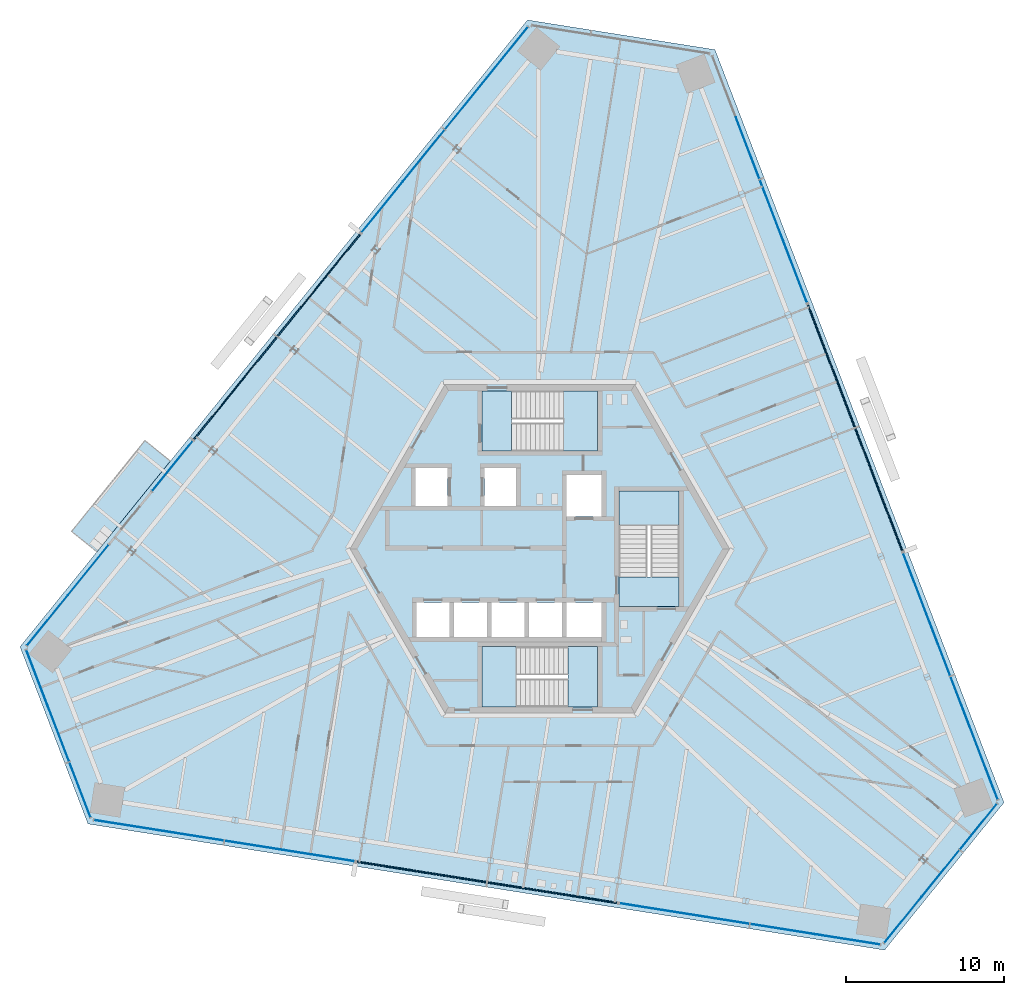
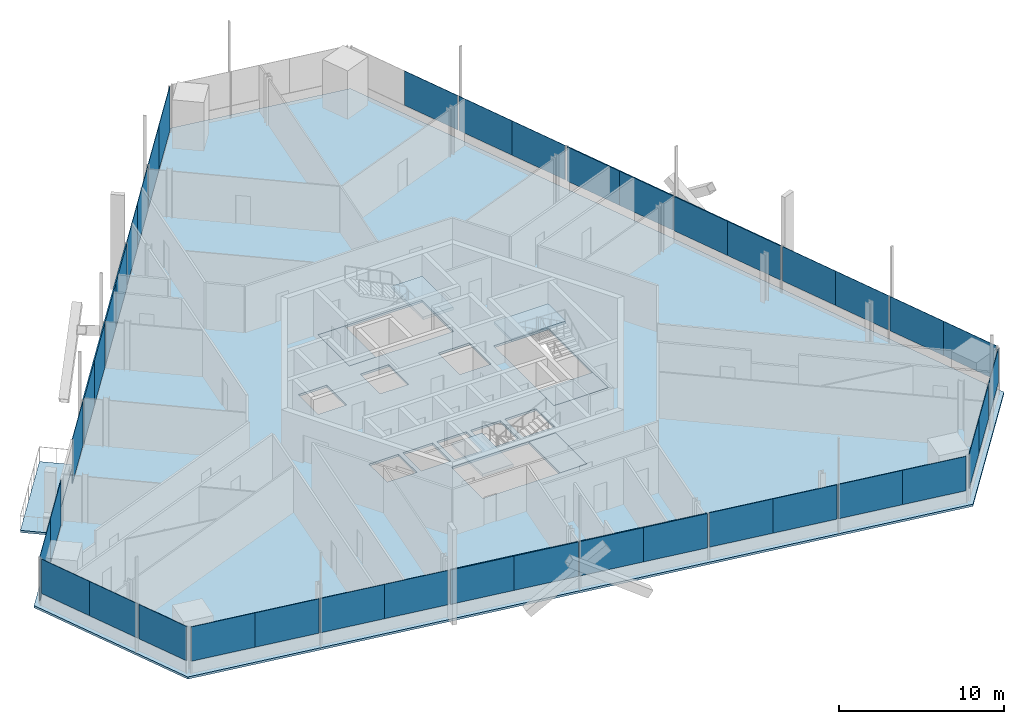
# One storey, part 10 of 22: 40 plates, 8 slabs, 15 elements without a shape of their own.
"""IFC4 building model written with IfcOpenShell, lengths in metres."""

from ifc_helpers import new_model, si_unit, direction, frame, origin, origin_2d, place, context, subcontext, project, spatial, polyline, rectangle, outline, extrude, source, transform, mapped, material, layer, layer_set, type_object, element, aggregate, save


model = new_model("IFC4")

# Units and contexts
model_context = context("Model", 3, precision=1e-05, world=origin(), true_north=direction((0.0, 1.0)))
body_context = subcontext(model_context, "Body", "Model", "MODEL_VIEW")
ifc_project = project(units=[si_unit("LENGTHUNIT", "METRE"), si_unit("AREAUNIT", "SQUARE_METRE"), si_unit("VOLUMEUNIT", "CUBIC_METRE"), si_unit("PLANEANGLEUNIT", "RADIAN"), si_unit("MASSUNIT", "GRAM", prefix="KILO")], contexts=[model_context])

# Site, building, storey
site_placement = place(None, origin())
site = spatial("IfcSite", under=ifc_project, at=site_placement, CompositionType="ELEMENT")
building_placement = place(site_placement, origin())
building = spatial("IfcBuilding", under=site, at=building_placement, Name="Triune Harvest Tower", CompositionType="ELEMENT")
storey_placement = place(building_placement, frame((0.0, 0.0, 153.300048828125)))
storey = spatial("IfcBuildingStorey", under=building, at=storey_placement, Name="L39", CompositionType="ELEMENT", Elevation=153.300048828125)

# Slab
ifc_material_1 = material(Name="Concrete 40 MPa", Category="concrete")
ifc_layer_1 = layer(ifc_material_1, 0.159912109375)
ifc_layer_set_1 = layer_set([ifc_layer_1], Name="Concrete 40 MPa")
slab_type_1 = type_object("IfcSlabType", Name="BA-1 balcony slab 160", PredefinedType="FLOOR", material=ifc_layer_set_1)
slab_1_placement = place(storey_placement, frame((0.0, 0.0, -0.16015625)))
element("IfcSlab", 1, at=slab_1_placement, inside=storey, type_object=slab_type_1, Name="Balcony slab B4-F3 L39.10", PredefinedType="FLOOR", context=body_context, shape_type="SweptSolid", body=[
    extrude(outline(polyline([(-23.369384765625, 5.544677734375), (-28.01123046875, -0.187744140625), (-29.61328125, 1.109619140625), (-24.97119140625, 6.841796875), (-23.369384765625, 5.544677734375)])), origin(), (0.0, 0.0, 1.0), 0.16015625),
])

# Curtain wall, plate
ifc_material_2 = material(Name="Aluminium bronze anodised", Category="aluminium")
curtain_wall_type_1 = type_object("IfcCurtainWallType", Name="CW-6 Balcony window wall", PredefinedType="NOTDEFINED", material=ifc_material_2)
curtain_wall_1_placement = place(storey_placement, origin())
curtain_wall_1 = element("IfcCurtainWall", 2, at=curtain_wall_1_placement, inside=storey, type_object=curtain_wall_type_1, Name="CW-6 B4-F3 L39 run 2001")
ifc_material_3 = material(Name="Glass", Category="glass")
ifc_layer_2 = layer(ifc_material_3, 0.030029296875)
ifc_layer_set_2 = layer_set([ifc_layer_2], Name="Glass")
plate_type_1 = type_object("IfcPlateType", Name="GL-6 panel 30", PredefinedType="CURTAIN_PANEL", material=ifc_layer_set_2)
plate_1_placement = place(storey_placement, frame((-23.23681640625, 5.2314453125, 0.14990234375), z_axis=(0.0, 0.0, 1.0), x_axis=(-0.629316059034, -0.777149469434, 0.0)))
plate_1 = element("IfcPlate", 3, at=plate_1_placement, type_object=plate_type_1, Name="CW-6 panel B4-F3 2001.1", PredefinedType="CURTAIN_PANEL", context=body_context, shape_type="SweptSolid", body=[
    extrude(rectangle(XDim=4.061279296875, YDim=0.030029296875, at=origin_2d()), origin(), (0.0, 0.0, 1.0), 3.2900390625),
])
aggregate(curtain_wall_1, [plate_1])

# Slab
ifc_material_4 = material(Name="Concrete 40 MPa", Category="concrete")
ifc_layer_3 = layer(ifc_material_4, 0.159912109375)
ifc_layer_set_3 = layer_set([ifc_layer_3], Name="Concrete 40 MPa")
slab_type_2 = type_object("IfcSlabType", Name="SL-1 Composite floor slab 160", PredefinedType="FLOOR", material=ifc_layer_set_3)
shared_shape_1 = source(origin(), body_context, "Body", "SweptSolid", [
    extrude(outline(polyline([(29.35107421875, -16.04736328125), (11.07421875, 31.565185546875), (-0.778076171875, 33.4423828125), (-32.873291015625, -6.19189453125), (-28.572998046875, -17.39501953125), (21.799072265625, -25.373291015625), (29.35107421875, -16.04736328125)]), holes=[polyline([(-5.72509765625, -5.590087890625), (-5.72509765625, -3.389892578125), (-7.800048828125, -3.389892578125), (-7.800048828125, -5.590087890625), (-5.72509765625, -5.590087890625)]), polyline([(-3.35009765625, -5.590087890625), (-3.35009765625, -3.389892578125), (-5.425048828125, -3.389892578125), (-5.425048828125, -5.590087890625), (-3.35009765625, -5.590087890625)]), polyline([(-0.97509765625, -5.590087890625), (-0.97509765625, -3.389892578125), (-3.050048828125, -3.389892578125), (-3.050048828125, -5.590087890625), (-0.97509765625, -5.590087890625)]), polyline([(1.39990234375, -5.590087890625), (1.39990234375, -3.389892578125), (-0.675048828125, -3.389892578125), (-0.675048828125, -5.590087890625), (1.39990234375, -5.590087890625)]), polyline([(3.89990234375, 2.06005859375), (3.89990234375, 4.659912109375), (1.699951171875, 4.659912109375), (1.699951171875, 2.06005859375), (3.89990234375, 2.06005859375)]), polyline([(3.89990234375, -5.590087890625), (3.89990234375, -3.389892578125), (1.699951171875, -3.389892578125), (1.699951171875, -5.590087890625), (3.89990234375, -5.590087890625)]), polyline([(-5.85009765625, 2.7099609375), (-5.85009765625, 5.110107421875), (-7.85009765625, 5.110107421875), (-7.85009765625, 2.7099609375), (-5.85009765625, 2.7099609375)]), polyline([(-1.5, 2.7099609375), (-1.5, 5.110107421875), (-3.5, 5.110107421875), (-3.5, 2.7099609375), (-1.5, 2.7099609375)]), polyline([(3.64990234375, 6.18994140625), (3.64990234375, 9.989990234375), (-3.64990234375, 9.989990234375), (-3.64990234375, 6.18994140625), (3.64990234375, 6.18994140625)]), polyline([(3.64990234375, -9.989990234375), (3.64990234375, -6.18994140625), (-3.64990234375, -6.18994140625), (-3.64990234375, -9.989990234375), (3.64990234375, -9.989990234375)]), polyline([(8.800048828125, -3.64990234375), (8.800048828125, 3.64990234375), (5.0, 3.64990234375), (5.0, -3.64990234375), (8.800048828125, -3.64990234375)])]), origin(), (0.0, 0.0, 1.0), 0.16015625),
])
slab_2_placement = place(storey_placement, frame((0.0, 0.0, -0.16015625)))
element("IfcSlab", 4, at=slab_2_placement, inside=storey, type_object=slab_type_2, Name="slab/L39/1", PredefinedType="FLOOR", context=body_context, shape_type="MappedRepresentation", body=[
    mapped(shared_shape_1, transform((0.0, 0.0, 0.0), scale=1.0)),
])

# Stair, slabs
ifc_material_5 = material(Name="Concrete 40 MPa", Category="concrete")
stair_type = type_object("IfcStairType", Name="Exit stair 1800 half turn", PredefinedType="HALF_TURN_STAIR", material=ifc_material_5)
stair_1_placement = place(storey_placement, origin())
stair_1 = element("IfcStair", 5, at=stair_1_placement, inside=storey, type_object=stair_type, Name="Exit stair north", PredefinedType="HALF_TURN_STAIR")
ifc_material_6 = material(Name="Concrete 40 MPa", Category="concrete")
ifc_layer_4 = layer(ifc_material_6, 0.199951171875)
ifc_layer_set_4 = layer_set([ifc_layer_4], Name="Concrete 40 MPa")
slab_type_3 = type_object("IfcSlabType", Name="Stair landing 200", PredefinedType="LANDING", material=ifc_layer_set_4)
shared_shape_2 = source(origin(), body_context, "Body", "SweptSolid", [
    extrude(outline(polyline([(-3.64990234375, 6.18994140625), (-1.780029296875, 6.18994140625), (-1.780029296875, 9.989990234375), (-3.64990234375, 9.989990234375), (-3.64990234375, 6.18994140625)])), origin(), (0.0, 0.0, 1.0), 0.199951171875),
])
slab_3_placement = place(storey_placement, frame((0.0, 0.0, -0.199951171875)))
slab_3 = element("IfcSlab", 6, at=slab_3_placement, type_object=slab_type_3, Name="ST-1 landing 1", PredefinedType="LANDING", context=body_context, shape_type="MappedRepresentation", body=[
    mapped(shared_shape_2, transform((0.0, 0.0, 0.0), scale=1.0)),
])
shared_shape_3 = source(origin(), body_context, "Body", "SweptSolid", [
    extrude(outline(polyline([(1.510009765625, 6.18994140625), (3.64990234375, 6.18994140625), (3.64990234375, 9.989990234375), (1.510009765625, 9.989990234375), (1.510009765625, 6.18994140625)])), origin(), (0.0, 0.0, 1.0), 0.2001953125),
])
slab_4_placement = place(storey_placement, frame((0.0, 0.0, 1.599853515625)))
slab_4 = element("IfcSlab", 7, at=slab_4_placement, type_object=slab_type_3, Name="ST-1 landing 2", PredefinedType="LANDING", context=body_context, shape_type="MappedRepresentation", body=[
    mapped(shared_shape_3, transform((0.0, 0.0, 0.0), scale=1.0)),
])
aggregate(stair_1, [slab_3, slab_4])

stair_2_placement = place(storey_placement, origin())
stair_2 = element("IfcStair", 8, at=stair_2_placement, inside=storey, type_object=stair_type, Name="Exit stair south", PredefinedType="HALF_TURN_STAIR")
shared_shape_4 = source(origin(), body_context, "Body", "SweptSolid", [
    extrude(outline(polyline([(3.64990234375, -6.18994140625), (1.780029296875, -6.18994140625), (1.780029296875, -9.989990234375), (3.64990234375, -9.989990234375), (3.64990234375, -6.18994140625)])), origin(), (0.0, 0.0, 1.0), 0.199951171875),
])
slab_5_placement = place(storey_placement, frame((0.0, 0.0, -0.199951171875)))
slab_5 = element("IfcSlab", 9, at=slab_5_placement, type_object=slab_type_3, Name="ST-2 landing 1", PredefinedType="LANDING", context=body_context, shape_type="MappedRepresentation", body=[
    mapped(shared_shape_4, transform((0.0, 0.0, 0.0), scale=1.0)),
])
shared_shape_5 = source(origin(), body_context, "Body", "SweptSolid", [
    extrude(outline(polyline([(-1.510009765625, -6.18994140625), (-3.64990234375, -6.18994140625), (-3.64990234375, -9.989990234375), (-1.510009765625, -9.989990234375), (-1.510009765625, -6.18994140625)])), origin(), (0.0, 0.0, 1.0), 0.2001953125),
])
slab_6_placement = place(storey_placement, frame((0.0, 0.0, 1.599853515625)))
slab_6 = element("IfcSlab", 10, at=slab_6_placement, type_object=slab_type_3, Name="ST-2 landing 2", PredefinedType="LANDING", context=body_context, shape_type="MappedRepresentation", body=[
    mapped(shared_shape_5, transform((0.0, 0.0, 0.0), scale=1.0)),
])
aggregate(stair_2, [slab_5, slab_6])

stair_3_placement = place(storey_placement, origin())
stair_3 = element("IfcStair", 11, at=stair_3_placement, inside=storey, type_object=stair_type, Name="Exit stair east", PredefinedType="HALF_TURN_STAIR")
shared_shape_6 = source(origin(), body_context, "Body", "SweptSolid", [
    extrude(outline(polyline([(8.800048828125, -3.64990234375), (8.800048828125, -1.780029296875), (5.0, -1.780029296875), (5.0, -3.64990234375), (8.800048828125, -3.64990234375)])), origin(), (0.0, 0.0, 1.0), 0.199951171875),
])
slab_7_placement = place(storey_placement, frame((0.0, 0.0, -0.199951171875)))
slab_7 = element("IfcSlab", 12, at=slab_7_placement, type_object=slab_type_3, Name="ST-3 landing 1", PredefinedType="LANDING", context=body_context, shape_type="MappedRepresentation", body=[
    mapped(shared_shape_6, transform((0.0, 0.0, 0.0), scale=1.0)),
])
shared_shape_7 = source(origin(), body_context, "Body", "SweptSolid", [
    extrude(outline(polyline([(8.800048828125, 1.510009765625), (8.800048828125, 3.64990234375), (5.0, 3.64990234375), (5.0, 1.510009765625), (8.800048828125, 1.510009765625)])), origin(), (0.0, 0.0, 1.0), 0.2001953125),
])
slab_8_placement = place(storey_placement, frame((0.0, 0.0, 1.599853515625)))
slab_8 = element("IfcSlab", 13, at=slab_8_placement, type_object=slab_type_3, Name="ST-3 landing 2", PredefinedType="LANDING", context=body_context, shape_type="MappedRepresentation", body=[
    mapped(shared_shape_7, transform((0.0, 0.0, 0.0), scale=1.0)),
])
aggregate(stair_3, [slab_7, slab_8])

# Curtain wall, plate
ifc_material_7 = material(Name="Aluminium bronze anodised", Category="aluminium")
curtain_wall_type_2 = type_object("IfcCurtainWallType", Name="CW-1 Tower stick curtain wall", PredefinedType="NOTDEFINED", material=ifc_material_7)
curtain_wall_2_placement = place(storey_placement, origin())
curtain_wall_2 = element("IfcCurtainWall", 14, at=curtain_wall_2_placement, inside=storey, type_object=curtain_wall_type_2, Name="CW-1 B4-F4 L39 run 1")
ifc_material_8 = material(Name="Glass", Category="glass")
ifc_layer_5 = layer(ifc_material_8, 0.031982421875)
ifc_layer_set_5 = layer_set([ifc_layer_5], Name="Glass")
plate_type_2 = type_object("IfcPlateType", Name="GL-1 panel 32", PredefinedType="CURTAIN_PANEL", material=ifc_layer_set_5)
shared_shape_8 = source(origin(), body_context, "Body", "SweptSolid", [
    extrude(rectangle(XDim=3.74951171875, YDim=0.031982421875, at=origin_2d()), origin(), (0.0, 0.0, 1.0), 2.5400390625),
])
plate_2_placement = place(storey_placement, frame((-31.80029296875, -8.150390625, 0.89990234375), z_axis=(0.0, 0.0, 1.0), x_axis=(0.358368910177, -0.933580057745, 0.0)))
plate_2 = element("IfcPlate", 15, at=plate_2_placement, type_object=plate_type_2, Name="CW-1 panel B4-F4 1.1", PredefinedType="CURTAIN_PANEL", context=body_context, shape_type="MappedRepresentation", body=[
    mapped(shared_shape_8, transform((0.0, 0.0, 0.0), scale=1.0)),
])

curtain_wall_3_placement = place(storey_placement, origin())
curtain_wall_3 = element("IfcCurtainWall", 16, at=curtain_wall_3_placement, inside=storey, type_object=curtain_wall_type_2, Name="CW-1 B4-F6 L39 run 1")
plate_3_placement = place(storey_placement, frame((22.958740234375, -23.464599609375, 0.89990234375), z_axis=(0.0, 0.0, 1.0), x_axis=(0.629320905414, 0.777145544932, 0.0)))
plate_3 = element("IfcPlate", 17, at=plate_3_placement, type_object=plate_type_2, Name="CW-1 panel B4-F6 1.1", PredefinedType="CURTAIN_PANEL", context=body_context, shape_type="MappedRepresentation", body=[
    mapped(shared_shape_8, transform((0.0, 0.0, 0.0), scale=1.0)),
])

# Plate
shared_shape_9 = source(origin(), body_context, "Body", "SweptSolid", [
    extrude(rectangle(XDim=3.787109375, YDim=0.031982421875, at=origin_2d()), origin(), (0.0, 0.0, 1.0), 2.5400390625),
])
plate_4_placement = place(storey_placement, frame((-30.449951171875, -11.66845703125, 0.89990234375), z_axis=(0.0, 0.0, 1.0), x_axis=(0.358368910177, -0.933580057745, 0.0)))
plate_4 = element("IfcPlate", 18, at=plate_4_placement, type_object=plate_type_2, Name="CW-1 panel B4-F4 1.2", PredefinedType="CURTAIN_PANEL", context=body_context, shape_type="MappedRepresentation", body=[
    mapped(shared_shape_9, transform((0.0, 0.0, 0.0), scale=1.0)),
])

plate_5_placement = place(storey_placement, frame((25.330078125, -20.5361328125, 0.89990234375), z_axis=(0.0, 0.0, 1.0), x_axis=(0.629320905414, 0.777145544932, 0.0)))
plate_5 = element("IfcPlate", 19, at=plate_5_placement, type_object=plate_type_2, Name="CW-1 panel B4-F6 1.2", PredefinedType="CURTAIN_PANEL", context=body_context, shape_type="MappedRepresentation", body=[
    mapped(shared_shape_9, transform((0.0, 0.0, 0.0), scale=1.0)),
])

# Curtain wall, plates
ifc_material_9 = material(Name="Aluminium bronze anodised", Category="aluminium")
curtain_wall_type_3 = type_object("IfcCurtainWallType", Name="CW-7 Tower stick curtain wall with insulated spandrel infill", PredefinedType="NOTDEFINED", material=ifc_material_9)
curtain_wall_4_placement = place(storey_placement, origin())
curtain_wall_4 = element("IfcCurtainWall", 20, at=curtain_wall_4_placement, inside=storey, type_object=curtain_wall_type_3, Name="CW-7 B4-F1 L39 run 1001")
ifc_material_10 = material(Name="Insulated spandrel panel, bronze aluminium pan", Category="aluminium")
ifc_layer_6 = layer(ifc_material_10, 0.080078125)
ifc_layer_set_6 = layer_set([ifc_layer_6], Name="Insulated spandrel panel, bronze aluminium pan")
plate_type_3 = type_object("IfcPlateType", Name="SP-1 insulated spandrel panel 80", PredefinedType="CURTAIN_PANEL", material=ifc_layer_set_6)
shared_shape_10 = source(origin(), body_context, "Body", "SweptSolid", [
    extrude(rectangle(XDim=4.131103515625, YDim=0.080078125, at=origin_2d()), origin(), (0.0, 0.0, 1.0), 2.5400390625),
])
plate_6_placement = place(storey_placement, frame((22.18017578125, 1.79638671875, 0.89990234375), z_axis=(0.0, 0.0, 1.0), x_axis=(-0.358365235101, 0.93358146847, 0.0)))
plate_6 = element("IfcPlate", 21, at=plate_6_placement, type_object=plate_type_3, Name="CW-7 panel B4-F1 1001.1", PredefinedType="CURTAIN_PANEL", context=body_context, shape_type="MappedRepresentation", body=[
    mapped(shared_shape_10, transform((0.0, 0.0, 0.0), scale=1.0)),
])
plate_7_placement = place(storey_placement, frame((17.68505859375, 13.506591796875, 0.89990234375), z_axis=(0.0, 0.0, 1.0), x_axis=(-0.358365235101, 0.93358146847, 0.0)))
plate_7 = element("IfcPlate", 22, at=plate_7_placement, type_object=plate_type_3, Name="CW-7 panel B4-F1 1001.4", PredefinedType="CURTAIN_PANEL", context=body_context, shape_type="MappedRepresentation", body=[
    mapped(shared_shape_10, transform((0.0, 0.0, 0.0), scale=1.0)),
])

curtain_wall_5_placement = place(storey_placement, origin())
curtain_wall_5 = element("IfcCurtainWall", 23, at=curtain_wall_5_placement, inside=storey, type_object=curtain_wall_type_3, Name="CW-7 B4-F5 L39 run 1001")
plate_8_placement = place(storey_placement, frame((-9.534423828125, -20.106689453125, 0.89990234375), z_axis=(0.0, 0.0, 1.0), x_axis=(0.987687767524, -0.156438083227, 0.0)))
plate_8 = element("IfcPlate", 24, at=plate_8_placement, type_object=plate_type_3, Name="CW-7 panel B4-F5 1001.1", PredefinedType="CURTAIN_PANEL", context=body_context, shape_type="MappedRepresentation", body=[
    mapped(shared_shape_10, transform((0.0, 0.0, 0.0), scale=1.0)),
])
plate_9_placement = place(storey_placement, frame((2.8544921875, -22.06884765625, 0.89990234375), z_axis=(0.0, 0.0, 1.0), x_axis=(0.987687767524, -0.156438083227, 0.0)))
plate_9 = element("IfcPlate", 25, at=plate_9_placement, type_object=plate_type_3, Name="CW-7 panel B4-F5 1001.4", PredefinedType="CURTAIN_PANEL", context=body_context, shape_type="MappedRepresentation", body=[
    mapped(shared_shape_10, transform((0.0, 0.0, 0.0), scale=1.0)),
])

# Plate
shared_shape_11 = source(origin(), body_context, "Body", "SweptSolid", [
    extrude(rectangle(XDim=4.168701171875, YDim=0.080078125, at=origin_2d()), origin(), (0.0, 0.0, 1.0), 2.5400390625),
])
plate_10_placement = place(storey_placement, frame((20.69287109375, 5.67041015625, 0.89990234375), z_axis=(0.0, 0.0, 1.0), x_axis=(-0.358365235101, 0.93358146847, 0.0)))
plate_10 = element("IfcPlate", 26, at=plate_10_placement, type_object=plate_type_3, Name="CW-7 panel B4-F1 1001.2", PredefinedType="CURTAIN_PANEL", context=body_context, shape_type="MappedRepresentation", body=[
    mapped(shared_shape_11, transform((0.0, 0.0, 0.0), scale=1.0)),
])

plate_11_placement = place(storey_placement, frame((19.172119140625, 9.63232421875, 0.89990234375), z_axis=(0.0, 0.0, 1.0), x_axis=(-0.358365235101, 0.93358146847, 0.0)))
plate_11 = element("IfcPlate", 27, at=plate_11_placement, type_object=plate_type_3, Name="CW-7 panel B4-F1 1001.3", PredefinedType="CURTAIN_PANEL", context=body_context, shape_type="MappedRepresentation", body=[
    mapped(shared_shape_11, transform((0.0, 0.0, 0.0), scale=1.0)),
])

aggregate(curtain_wall_4, [plate_6, plate_10, plate_11, plate_7])

plate_12_placement = place(storey_placement, frame((-5.435791015625, -20.755859375, 0.89990234375), z_axis=(0.0, 0.0, 1.0), x_axis=(0.987687767524, -0.156438083227, 0.0)))
plate_12 = element("IfcPlate", 28, at=plate_12_placement, type_object=plate_type_3, Name="CW-7 panel B4-F5 1001.2", PredefinedType="CURTAIN_PANEL", context=body_context, shape_type="MappedRepresentation", body=[
    mapped(shared_shape_11, transform((0.0, 0.0, 0.0), scale=1.0)),
])

plate_13_placement = place(storey_placement, frame((-1.244384765625, -21.419677734375, 0.89990234375), z_axis=(0.0, 0.0, 1.0), x_axis=(0.987687767524, -0.156438083227, 0.0)))
plate_13 = element("IfcPlate", 29, at=plate_13_placement, type_object=plate_type_3, Name="CW-7 panel B4-F5 1001.3", PredefinedType="CURTAIN_PANEL", context=body_context, shape_type="MappedRepresentation", body=[
    mapped(shared_shape_11, transform((0.0, 0.0, 0.0), scale=1.0)),
])

aggregate(curtain_wall_5, [plate_8, plate_12, plate_13, plate_9])

shared_shape_12 = source(origin(), body_context, "Body", "SweptSolid", [
    extrude(rectangle(XDim=3.712158203125, YDim=0.031982421875, at=origin_2d()), origin(), (0.0, 0.0, 1.0), 2.5400390625),
])
plate_14_placement = place(storey_placement, frame((-29.079345703125, -15.239013671875, 0.89990234375), z_axis=(0.0, 0.0, 1.0), x_axis=(0.358368910177, -0.933580057745, 0.0)))
plate_14 = element("IfcPlate", 30, at=plate_14_placement, type_object=plate_type_2, Name="CW-1 panel B4-F4 1.3", PredefinedType="CURTAIN_PANEL", context=body_context, shape_type="MappedRepresentation", body=[
    mapped(shared_shape_12, transform((0.0, 0.0, 0.0), scale=1.0)),
])

aggregate(curtain_wall_2, [plate_2, plate_4, plate_14])

plate_15_placement = place(storey_placement, frame((27.737060546875, -17.563720703125, 0.89990234375), z_axis=(0.0, 0.0, 1.0), x_axis=(0.629320905414, 0.777145544932, 0.0)))
plate_15 = element("IfcPlate", 31, at=plate_15_placement, type_object=plate_type_2, Name="CW-1 panel B4-F6 1.3", PredefinedType="CURTAIN_PANEL", context=body_context, shape_type="MappedRepresentation", body=[
    mapped(shared_shape_12, transform((0.0, 0.0, 0.0), scale=1.0)),
])

aggregate(curtain_wall_3, [plate_3, plate_5, plate_15])

# Curtain wall, plates
curtain_wall_6_placement = place(storey_placement, origin())
curtain_wall_6 = element("IfcCurtainWall", 32, at=curtain_wall_6_placement, inside=storey, type_object=curtain_wall_type_2, Name="CW-1 B4-F1 L39 run 1")
shared_shape_13 = source(origin(), body_context, "Body", "SweptSolid", [
    extrude(rectangle(XDim=4.131103515625, YDim=0.031982421875, at=origin_2d()), origin(), (0.0, 0.0, 1.0), 2.5400390625),
])
plate_16_placement = place(storey_placement, frame((28.20947265625, -13.910888671875, 0.89990234375), z_axis=(0.0, 0.0, 1.0), x_axis=(-0.35837129085, 0.933579143884, 0.0)))
plate_16 = element("IfcPlate", 33, at=plate_16_placement, type_object=plate_type_2, Name="CW-1 panel B4-F1 1.1", PredefinedType="CURTAIN_PANEL", context=body_context, shape_type="MappedRepresentation", body=[
    mapped(shared_shape_13, transform((0.0, 0.0, 0.0), scale=1.0)),
])
plate_17_placement = place(storey_placement, frame((23.71435546875, -2.200439453125, 0.89990234375), z_axis=(0.0, 0.0, 1.0), x_axis=(-0.35837129085, 0.933579143884, 0.0)))
plate_17 = element("IfcPlate", 34, at=plate_17_placement, type_object=plate_type_2, Name="CW-1 panel B4-F1 1.4", PredefinedType="CURTAIN_PANEL", context=body_context, shape_type="MappedRepresentation", body=[
    mapped(shared_shape_13, transform((0.0, 0.0, 0.0), scale=1.0)),
])

# Curtain wall, plate
curtain_wall_7_placement = place(storey_placement, origin())
curtain_wall_7 = element("IfcCurtainWall", 35, at=curtain_wall_7_placement, inside=storey, type_object=curtain_wall_type_2, Name="CW-1 B4-F1 L39 run 2001")
plate_18_placement = place(storey_placement, frame((16.15087890625, 17.503173828125, 0.89990234375), z_axis=(0.0, 0.0, 1.0), x_axis=(-0.35837129085, 0.933579143884, 0.0)))
plate_18 = element("IfcPlate", 36, at=plate_18_placement, type_object=plate_type_2, Name="CW-1 panel B4-F1 2001.1", PredefinedType="CURTAIN_PANEL", context=body_context, shape_type="MappedRepresentation", body=[
    mapped(shared_shape_13, transform((0.0, 0.0, 0.0), scale=1.0)),
])

# Curtain wall, plates
curtain_wall_8_placement = place(storey_placement, origin())
curtain_wall_8 = element("IfcCurtainWall", 37, at=curtain_wall_8_placement, inside=storey, type_object=curtain_wall_type_2, Name="CW-1 B4-F5 L39 run 1")
plate_19_placement = place(storey_placement, frame((-26.15185546875, -17.474853515625, 0.89990234375), z_axis=(0.0, 0.0, 1.0), x_axis=(0.987688506102, -0.156433420065, 0.0)))
plate_19 = element("IfcPlate", 38, at=plate_19_placement, type_object=plate_type_2, Name="CW-1 panel B4-F5 1.1", PredefinedType="CURTAIN_PANEL", context=body_context, shape_type="MappedRepresentation", body=[
    mapped(shared_shape_13, transform((0.0, 0.0, 0.0), scale=1.0)),
])
plate_20_placement = place(storey_placement, frame((-13.762939453125, -19.43701171875, 0.89990234375), z_axis=(0.0, 0.0, 1.0), x_axis=(0.987688506102, -0.156433420065, 0.0)))
plate_20 = element("IfcPlate", 39, at=plate_20_placement, type_object=plate_type_2, Name="CW-1 panel B4-F5 1.4", PredefinedType="CURTAIN_PANEL", context=body_context, shape_type="MappedRepresentation", body=[
    mapped(shared_shape_13, transform((0.0, 0.0, 0.0), scale=1.0)),
])

curtain_wall_9_placement = place(storey_placement, origin())
curtain_wall_9 = element("IfcCurtainWall", 40, at=curtain_wall_9_placement, inside=storey, type_object=curtain_wall_type_2, Name="CW-1 B4-F5 L39 run 2001")
plate_21_placement = place(storey_placement, frame((7.0830078125, -22.73876953125, 0.89990234375), z_axis=(0.0, 0.0, 1.0), x_axis=(0.987688506102, -0.156433420065, 0.0)))
plate_21 = element("IfcPlate", 41, at=plate_21_placement, type_object=plate_type_2, Name="CW-1 panel B4-F5 2001.1", PredefinedType="CURTAIN_PANEL", context=body_context, shape_type="MappedRepresentation", body=[
    mapped(shared_shape_13, transform((0.0, 0.0, 0.0), scale=1.0)),
])
plate_22_placement = place(storey_placement, frame((19.471923828125, -24.700927734375, 0.89990234375), z_axis=(0.0, 0.0, 1.0), x_axis=(0.987688506102, -0.156433420065, 0.0)))
plate_22 = element("IfcPlate", 42, at=plate_22_placement, type_object=plate_type_2, Name="CW-1 panel B4-F5 2001.4", PredefinedType="CURTAIN_PANEL", context=body_context, shape_type="MappedRepresentation", body=[
    mapped(shared_shape_13, transform((0.0, 0.0, 0.0), scale=1.0)),
])

# Plate
shared_shape_14 = source(origin(), body_context, "Body", "SweptSolid", [
    extrude(rectangle(XDim=4.168701171875, YDim=0.031982421875, at=origin_2d()), origin(), (0.0, 0.0, 1.0), 2.5400390625),
])
plate_23_placement = place(storey_placement, frame((26.722412109375, -10.03662109375, 0.89990234375), z_axis=(0.0, 0.0, 1.0), x_axis=(-0.35837129085, 0.933579143884, 0.0)))
plate_23 = element("IfcPlate", 43, at=plate_23_placement, type_object=plate_type_2, Name="CW-1 panel B4-F1 1.2", PredefinedType="CURTAIN_PANEL", context=body_context, shape_type="MappedRepresentation", body=[
    mapped(shared_shape_14, transform((0.0, 0.0, 0.0), scale=1.0)),
])

plate_24_placement = place(storey_placement, frame((25.201416015625, -6.07470703125, 0.89990234375), z_axis=(0.0, 0.0, 1.0), x_axis=(-0.35837129085, 0.933579143884, 0.0)))
plate_24 = element("IfcPlate", 44, at=plate_24_placement, type_object=plate_type_2, Name="CW-1 panel B4-F1 1.3", PredefinedType="CURTAIN_PANEL", context=body_context, shape_type="MappedRepresentation", body=[
    mapped(shared_shape_14, transform((0.0, 0.0, 0.0), scale=1.0)),
])

aggregate(curtain_wall_6, [plate_16, plate_23, plate_24, plate_17])

plate_25_placement = place(storey_placement, frame((14.66357421875, 21.37744140625, 0.89990234375), z_axis=(0.0, 0.0, 1.0), x_axis=(-0.35837129085, 0.933579143884, 0.0)))
plate_25 = element("IfcPlate", 45, at=plate_25_placement, type_object=plate_type_2, Name="CW-1 panel B4-F1 2001.2", PredefinedType="CURTAIN_PANEL", context=body_context, shape_type="MappedRepresentation", body=[
    mapped(shared_shape_14, transform((0.0, 0.0, 0.0), scale=1.0)),
])

plate_26_placement = place(storey_placement, frame((13.142822265625, 25.33935546875, 0.89990234375), z_axis=(0.0, 0.0, 1.0), x_axis=(-0.35837129085, 0.933579143884, 0.0)))
plate_26 = element("IfcPlate", 46, at=plate_26_placement, type_object=plate_type_2, Name="CW-1 panel B4-F1 2001.3", PredefinedType="CURTAIN_PANEL", context=body_context, shape_type="MappedRepresentation", body=[
    mapped(shared_shape_14, transform((0.0, 0.0, 0.0), scale=1.0)),
])

aggregate(curtain_wall_7, [plate_18, plate_25, plate_26])

plate_27_placement = place(storey_placement, frame((-22.052978515625, -18.1240234375, 0.89990234375), z_axis=(0.0, 0.0, 1.0), x_axis=(0.987688506102, -0.156433420065, 0.0)))
plate_27 = element("IfcPlate", 47, at=plate_27_placement, type_object=plate_type_2, Name="CW-1 panel B4-F5 1.2", PredefinedType="CURTAIN_PANEL", context=body_context, shape_type="MappedRepresentation", body=[
    mapped(shared_shape_14, transform((0.0, 0.0, 0.0), scale=1.0)),
])

plate_28_placement = place(storey_placement, frame((-17.86181640625, -18.787841796875, 0.89990234375), z_axis=(0.0, 0.0, 1.0), x_axis=(0.987688506102, -0.156433420065, 0.0)))
plate_28 = element("IfcPlate", 48, at=plate_28_placement, type_object=plate_type_2, Name="CW-1 panel B4-F5 1.3", PredefinedType="CURTAIN_PANEL", context=body_context, shape_type="MappedRepresentation", body=[
    mapped(shared_shape_14, transform((0.0, 0.0, 0.0), scale=1.0)),
])

aggregate(curtain_wall_8, [plate_19, plate_27, plate_28, plate_20])

plate_29_placement = place(storey_placement, frame((11.181640625, -23.387939453125, 0.89990234375), z_axis=(0.0, 0.0, 1.0), x_axis=(0.987688506102, -0.156433420065, 0.0)))
plate_29 = element("IfcPlate", 49, at=plate_29_placement, type_object=plate_type_2, Name="CW-1 panel B4-F5 2001.2", PredefinedType="CURTAIN_PANEL", context=body_context, shape_type="MappedRepresentation", body=[
    mapped(shared_shape_14, transform((0.0, 0.0, 0.0), scale=1.0)),
])

plate_30_placement = place(storey_placement, frame((15.373046875, -24.0517578125, 0.89990234375), z_axis=(0.0, 0.0, 1.0), x_axis=(0.987688506102, -0.156433420065, 0.0)))
plate_30 = element("IfcPlate", 50, at=plate_30_placement, type_object=plate_type_2, Name="CW-1 panel B4-F5 2001.3", PredefinedType="CURTAIN_PANEL", context=body_context, shape_type="MappedRepresentation", body=[
    mapped(shared_shape_14, transform((0.0, 0.0, 0.0), scale=1.0)),
])

aggregate(curtain_wall_9, [plate_21, plate_29, plate_30, plate_22])

# Curtain wall, plates
curtain_wall_10_placement = place(storey_placement, origin())
curtain_wall_10 = element("IfcCurtainWall", 51, at=curtain_wall_10_placement, inside=storey, type_object=curtain_wall_type_1, Name="CW-6 B4-F3 L39 run 1")
shared_shape_15 = source(origin(), body_context, "Body", "SweptSolid", [
    extrude(rectangle(XDim=4.13623046875, YDim=0.030029296875, at=origin_2d()), origin(), (0.0, 0.0, 1.0), 3.2900390625),
])
plate_31_placement = place(storey_placement, frame((-2.059326171875, 31.383544921875, 0.14990234375), z_axis=(0.0, 0.0, 1.0), x_axis=(-0.629322402268, -0.7771443328, 0.0)))
plate_31 = element("IfcPlate", 52, at=plate_31_placement, type_object=plate_type_1, Name="CW-6 panel B4-F3 1.1", PredefinedType="CURTAIN_PANEL", context=body_context, shape_type="MappedRepresentation", body=[
    mapped(shared_shape_15, transform((0.0, 0.0, 0.0), scale=1.0)),
])
plate_32_placement = place(storey_placement, frame((-9.96240234375, 21.623779296875, 0.14990234375), z_axis=(0.0, 0.0, 1.0), x_axis=(-0.629322402268, -0.7771443328, 0.0)))
plate_32 = element("IfcPlate", 53, at=plate_32_placement, type_object=plate_type_1, Name="CW-6 panel B4-F3 1.4", PredefinedType="CURTAIN_PANEL", context=body_context, shape_type="MappedRepresentation", body=[
    mapped(shared_shape_15, transform((0.0, 0.0, 0.0), scale=1.0)),
])
shared_shape_16 = source(origin(), body_context, "Body", "SweptSolid", [
    extrude(rectangle(XDim=4.173583984375, YDim=0.030029296875, at=origin_2d()), origin(), (0.0, 0.0, 1.0), 3.2900390625),
])
plate_33_placement = place(storey_placement, frame((-4.674072265625, 28.154541015625, 0.14990234375), z_axis=(0.0, 0.0, 1.0), x_axis=(-0.629322402268, -0.7771443328, 0.0)))
plate_33 = element("IfcPlate", 54, at=plate_33_placement, type_object=plate_type_1, Name="CW-6 panel B4-F3 1.2", PredefinedType="CURTAIN_PANEL", context=body_context, shape_type="MappedRepresentation", body=[
    mapped(shared_shape_16, transform((0.0, 0.0, 0.0), scale=1.0)),
])
plate_34_placement = place(storey_placement, frame((-7.34765625, 24.852783203125, 0.14990234375), z_axis=(0.0, 0.0, 1.0), x_axis=(-0.629322402268, -0.7771443328, 0.0)))
plate_34 = element("IfcPlate", 55, at=plate_34_placement, type_object=plate_type_1, Name="CW-6 panel B4-F3 1.3", PredefinedType="CURTAIN_PANEL", context=body_context, shape_type="MappedRepresentation", body=[
    mapped(shared_shape_16, transform((0.0, 0.0, 0.0), scale=1.0)),
])
aggregate(curtain_wall_10, [plate_31, plate_33, plate_34, plate_32])

ifc_material_11 = material(Name="Aluminium bronze anodised", Category="aluminium")
curtain_wall_type_4 = type_object("IfcCurtainWallType", Name="CW-10 Balcony window wall with insulated spandrel infill", PredefinedType="NOTDEFINED", material=ifc_material_11)
curtain_wall_11_placement = place(storey_placement, origin())
curtain_wall_11 = element("IfcCurtainWall", 56, at=curtain_wall_11_placement, inside=storey, type_object=curtain_wall_type_4, Name="CW-10 B4-F3 L39 run 1001")
shared_shape_17 = source(origin(), body_context, "Body", "SweptSolid", [
    extrude(rectangle(XDim=4.13623046875, YDim=0.080078125, at=origin_2d()), origin(), (0.0, 0.0, 1.0), 3.2900390625),
])
plate_35_placement = place(storey_placement, frame((-12.659912109375, 18.29296875, 0.14990234375), z_axis=(0.0, 0.0, 1.0), x_axis=(-0.629321865944, -0.777144767109, 0.0)))
plate_35 = element("IfcPlate", 57, at=plate_35_placement, type_object=plate_type_3, Name="CW-10 panel B4-F3 1001.1", PredefinedType="CURTAIN_PANEL", context=body_context, shape_type="MappedRepresentation", body=[
    mapped(shared_shape_17, transform((0.0, 0.0, 0.0), scale=1.0)),
])
plate_36_placement = place(storey_placement, frame((-20.563232421875, 8.533203125, 0.14990234375), z_axis=(0.0, 0.0, 1.0), x_axis=(-0.629321865944, -0.777144767109, 0.0)))
plate_36 = element("IfcPlate", 58, at=plate_36_placement, type_object=plate_type_3, Name="CW-10 panel B4-F3 1001.4", PredefinedType="CURTAIN_PANEL", context=body_context, shape_type="MappedRepresentation", body=[
    mapped(shared_shape_17, transform((0.0, 0.0, 0.0), scale=1.0)),
])
shared_shape_18 = source(origin(), body_context, "Body", "SweptSolid", [
    extrude(rectangle(XDim=4.173583984375, YDim=0.080078125, at=origin_2d()), origin(), (0.0, 0.0, 1.0), 3.2900390625),
])
plate_37_placement = place(storey_placement, frame((-15.274658203125, 15.06396484375, 0.14990234375), z_axis=(0.0, 0.0, 1.0), x_axis=(-0.629321865944, -0.777144767109, 0.0)))
plate_37 = element("IfcPlate", 59, at=plate_37_placement, type_object=plate_type_3, Name="CW-10 panel B4-F3 1001.2", PredefinedType="CURTAIN_PANEL", context=body_context, shape_type="MappedRepresentation", body=[
    mapped(shared_shape_18, transform((0.0, 0.0, 0.0), scale=1.0)),
])
plate_38_placement = place(storey_placement, frame((-17.948486328125, 11.76220703125, 0.14990234375), z_axis=(0.0, 0.0, 1.0), x_axis=(-0.629321865944, -0.777144767109, 0.0)))
plate_38 = element("IfcPlate", 60, at=plate_38_placement, type_object=plate_type_3, Name="CW-10 panel B4-F3 1001.3", PredefinedType="CURTAIN_PANEL", context=body_context, shape_type="MappedRepresentation", body=[
    mapped(shared_shape_18, transform((0.0, 0.0, 0.0), scale=1.0)),
])
aggregate(curtain_wall_11, [plate_35, plate_37, plate_38, plate_36])

curtain_wall_12_placement = place(storey_placement, origin())
curtain_wall_12 = element("IfcCurtainWall", 61, at=curtain_wall_12_placement, inside=storey, type_object=curtain_wall_type_1, Name="CW-6 B4-F3 L39 run 2")
shared_shape_19 = source(origin(), body_context, "Body", "SweptSolid", [
    extrude(rectangle(XDim=4.10107421875, YDim=0.030029296875, at=origin_2d()), origin(), (0.0, 0.0, 1.0), 3.2900390625),
])
plate_39_placement = place(storey_placement, frame((-28.55615234375, -1.337158203125, 0.14990234375), z_axis=(0.0, 0.0, 1.0), x_axis=(-0.629321459087, -0.777145096577, 0.0)))
plate_39 = element("IfcPlate", 62, at=plate_39_placement, type_object=plate_type_1, Name="CW-6 panel B4-F3 2.1", PredefinedType="CURTAIN_PANEL", context=body_context, shape_type="MappedRepresentation", body=[
    mapped(shared_shape_19, transform((0.0, 0.0, 0.0), scale=1.0)),
])
plate_40_placement = place(storey_placement, frame((-31.136962890625, -4.5244140625, 0.14990234375), z_axis=(0.0, 0.0, 1.0), x_axis=(-0.629321459087, -0.777145096577, 0.0)))
plate_40 = element("IfcPlate", 63, at=plate_40_placement, type_object=plate_type_1, Name="CW-6 panel B4-F3 2.2", PredefinedType="CURTAIN_PANEL", context=body_context, shape_type="MappedRepresentation", body=[
    mapped(shared_shape_19, transform((0.0, 0.0, 0.0), scale=1.0)),
])
aggregate(curtain_wall_12, [plate_39, plate_40])

save(model, "model.ifc")
